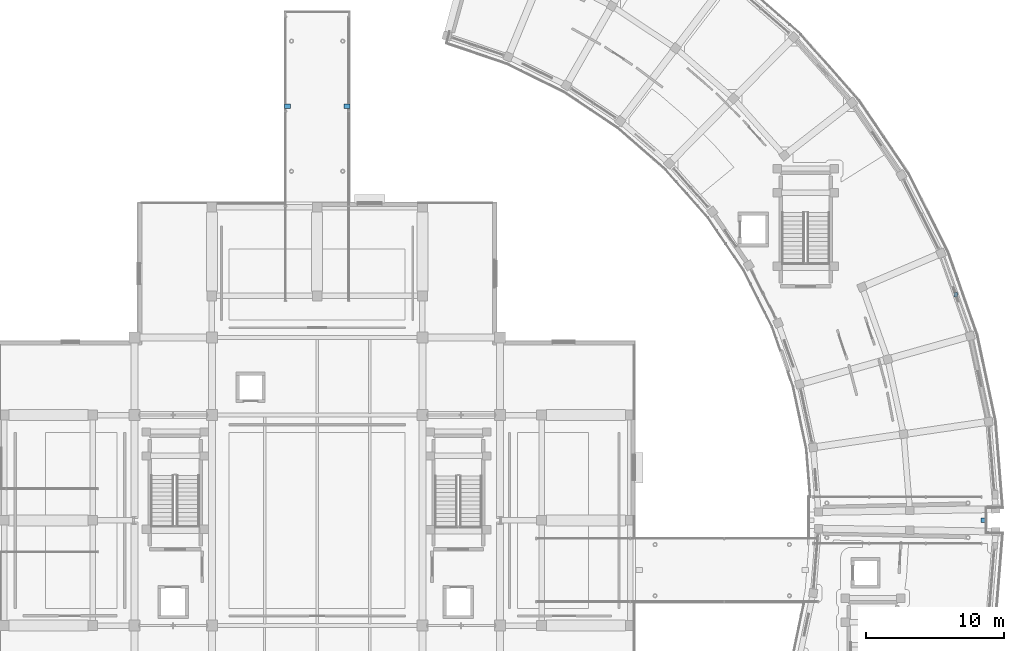
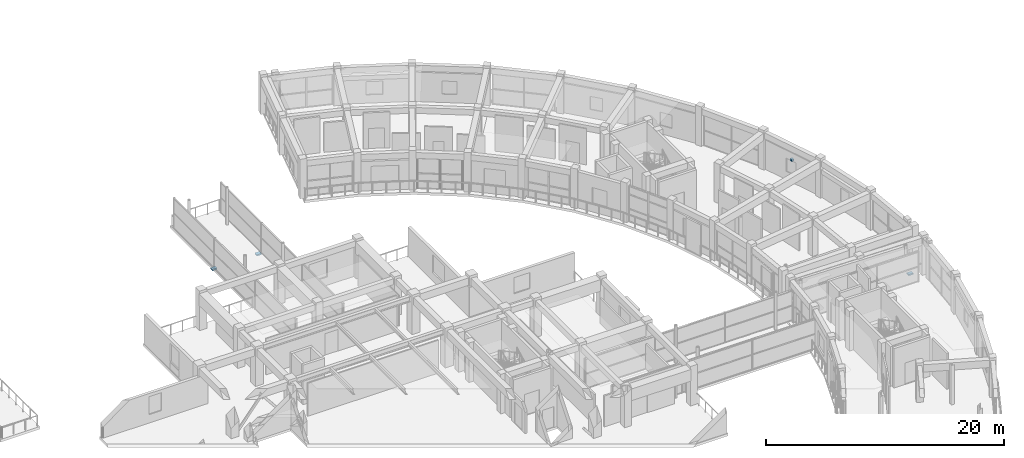
# One storey, part 56 of 70: 4 discrete accessories.
"""IFC4 building model written with IfcOpenShell, lengths in metres."""

from ifc_helpers import new_model, si_unit, direction, frame, origin, origin_2d, place, context, subcontext, project, spatial, rectangle, extrude, material, type_object, element, save


model = new_model("IFC4")

# Units and contexts
model_context = context("Model", 3, precision=1e-05, world=origin(), true_north=direction((0.0, 1.0)))
body_context = subcontext(model_context, "Body", "Model", "MODEL_VIEW")
ifc_project = project(units=[si_unit("LENGTHUNIT", "METRE"), si_unit("AREAUNIT", "SQUARE_METRE"), si_unit("VOLUMEUNIT", "CUBIC_METRE"), si_unit("PLANEANGLEUNIT", "RADIAN"), si_unit("MASSUNIT", "GRAM", prefix="KILO")], contexts=[model_context])

# Site, building, storey
site_placement = place(None, origin())
site = spatial("IfcSite", under=ifc_project, at=site_placement, CompositionType="ELEMENT")
building_placement = place(site_placement, origin())
building = spatial("IfcBuilding", under=site, at=building_placement, Name="Saryqyr Civic Hall", CompositionType="ELEMENT")
storey_placement = place(building_placement, frame((0.0, 0.0, 13.199951171875)))
storey = spatial("IfcBuildingStorey", under=building, at=storey_placement, Name="L03", CompositionType="ELEMENT", Elevation=13.199951171875)

# Discrete accessories
ifc_material_1 = material(Name="Painted galvanized steel", Category="steel")
discrete_accessory_type_1 = type_object("IfcDiscreteAccessoryType", Name="ENV-BRK-FIN", PredefinedType="BRACKET", material=ifc_material_1)
discrete_accessory_placement = place(storey_placement, frame((103.103759765625, 100.292236328125, 2.16015625), z_axis=(0.0, 0.0, 1.0), x_axis=(1.0, 0.0, 0.0)))
element("IfcDiscreteAccessory", 1, at=discrete_accessory_placement, inside=storey, type_object=discrete_accessory_type_1, Name="Solar fin steel bracket V6-L03-02", PredefinedType="BRACKET", context=body_context, shape_type="SweptSolid", body=[
    extrude(rectangle(XDim=0.239990234375, YDim=0.300048828125, at=origin_2d()), origin(), (0.0, 0.0, 1.0), 0.159912109375),
])
ifc_material_2 = material(Name="Steel S355", Category="steel")
discrete_accessory_type_2 = type_object("IfcDiscreteAccessoryType", Name="STR-ACC-PTFE-BRG", PredefinedType="BRACKET", material=ifc_material_2)
for number, where, z_axis, x_axis, name in (
    (2, (105.14990234375, 84.0, -0.35986328125), (0.0, 0.0, 1.0), (1.0, 0.0, 0.0), "Unguided PTFE sliding bridge bearing BR-E L03 2"),
    (3, (54.85009765625, 113.89990234375, -0.35986328125), (0.0, 0.0, 1.0), (1.0, 0.0, 0.0), "Unguided PTFE sliding bridge bearing BR-CN L03 1"),
    (4, (59.14990234375, 113.89990234375, -0.35986328125), (0.0, 0.0, 1.0), (1.0, 0.0, 0.0), "Unguided PTFE sliding bridge bearing BR-CN L03 2"),
):
    element("IfcDiscreteAccessory", number, at=place(storey_placement, frame(where, z_axis=z_axis, x_axis=x_axis)), inside=storey, type_object=discrete_accessory_type_2, Name=name, PredefinedType="BRACKET", context=body_context, shape_type="SweptSolid", body=[
        extrude(rectangle(XDim=0.449951171875, YDim=0.35009765625, at=origin_2d()), origin(), (0.0, 0.0, 1.0), 0.139892578125),
    ])

save(model, "model.ifc")
